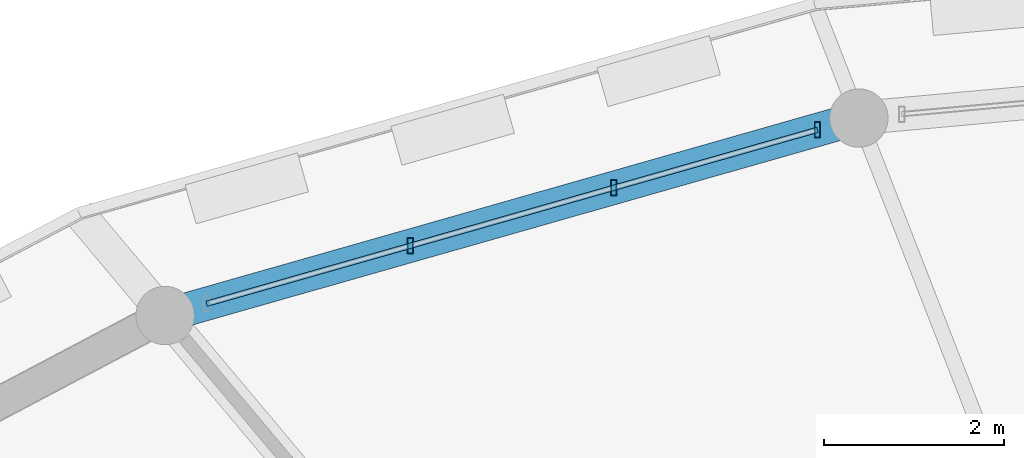
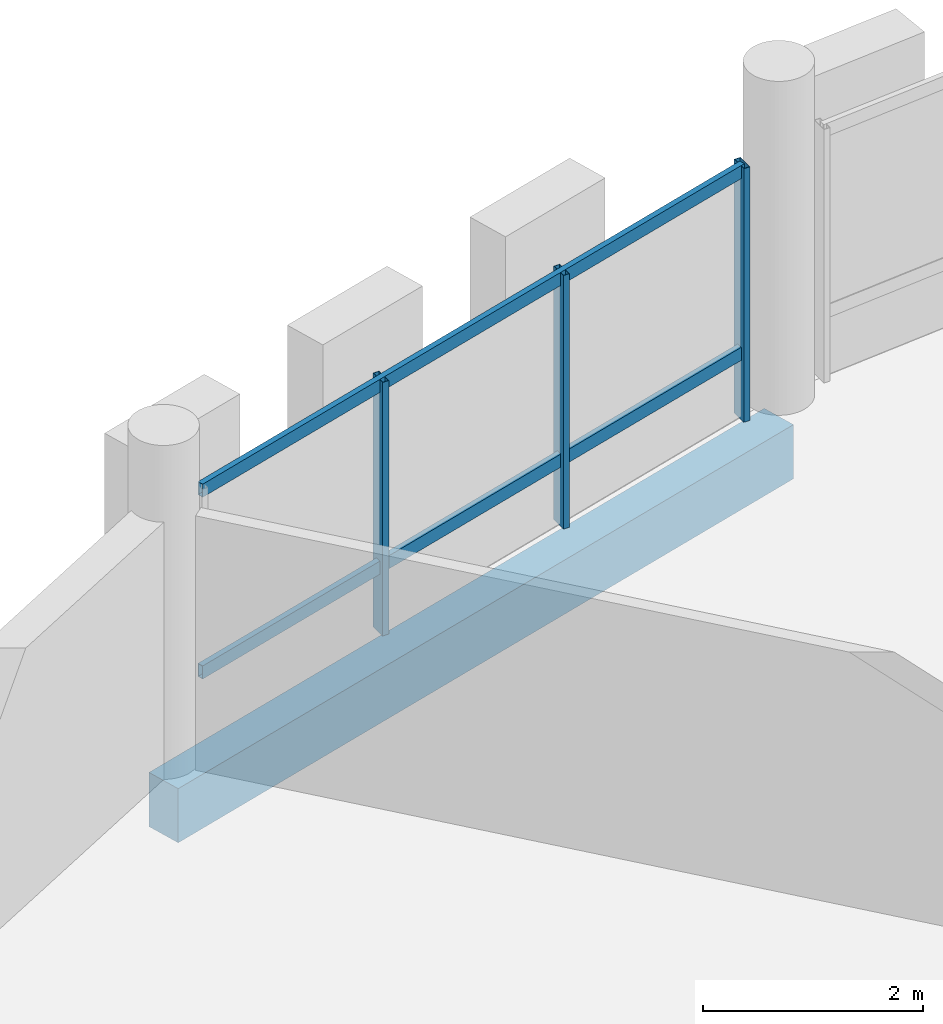
# One storey, part 46 of 84: 5 members, 1 beam, 1 element without a shape of its own.
"""IFC4 building model written with IfcOpenShell, lengths in metres."""

from ifc_helpers import new_model, si_unit, direction, frame, origin, origin_2d, place, context, subcontext, project, spatial, rectangle, hollow_rectangle, extrude, material, material_profile, profile_set, type_object, element, aggregate, save


model = new_model("IFC4")

# Units and contexts
model_context = context("Model", 3, precision=1e-05, world=origin(), true_north=direction((0.0, 1.0)))
body_context = subcontext(model_context, "Body", "Model", "MODEL_VIEW")
ifc_project = project(units=[si_unit("LENGTHUNIT", "METRE"), si_unit("AREAUNIT", "SQUARE_METRE"), si_unit("VOLUMEUNIT", "CUBIC_METRE"), si_unit("PLANEANGLEUNIT", "RADIAN"), si_unit("MASSUNIT", "GRAM", prefix="KILO")], contexts=[model_context])

# Site, building, storey
site_placement = place(None, origin())
site = spatial("IfcSite", under=ifc_project, at=site_placement, CompositionType="ELEMENT")
building_placement = place(site_placement, origin())
building = spatial("IfcBuilding", under=site, at=building_placement, Name="Zornivar Specialist Clinic", CompositionType="ELEMENT")
storey_placement = place(building_placement, frame((0.0, 0.0, 12.300048828125)))
storey = spatial("IfcBuildingStorey", under=building, at=storey_placement, Name="L03", CompositionType="ELEMENT", Elevation=12.300048828125)

# Beam
ifc_material_1 = material(Name="Concrete C30/37", Category="concrete")
ifc_material_profile_1 = material_profile(ifc_material_1, rectangle(XDim=0.3701171875, YDim=0.60009765625, at=origin_2d()), Name="RC 370x600")
ifc_profile_set_1 = profile_set([ifc_material_profile_1], Name="Concrete C30/37")
beam_type = type_object("IfcBeamType", Name="BM-RC-SPANDREL-370x600", PredefinedType="SPANDREL", material=ifc_profile_set_1)
beam_placement = place(storey_placement, frame((85.318115234375, 78.85009765625, -0.5400390625), z_axis=(-0.961790992591, -0.273784744957, 0.0), x_axis=(0.273784744957, -0.961790992591, 0.0)))
element("IfcBeam", 1, at=beam_placement, inside=storey, type_object=beam_type, Name="bm:V1:L03:outring:07", PredefinedType="SPANDREL", context=body_context, shape_type="SweptSolid", body=[
    extrude(rectangle(XDim=0.3701171875, YDim=0.60009765625, at=origin_2d()), origin(), (0.0, 0.0, 1.0), 8.024658203125),
])

# Curtain wall, members
ifc_material_2 = material(Name="Aluminium and Low-E Glass Curtain Wall", Category="aluminium")
curtain_wall_type = type_object("IfcCurtainWallType", Name="CW-DRUM-FACET", PredefinedType="NOTDEFINED", material=ifc_material_2)
curtain_wall_placement = place(storey_placement, origin())
curtain_wall = element("IfcCurtainWall", 2, at=curtain_wall_placement, inside=storey, type_object=curtain_wall_type, Name="cw:V1:L03:c07", PredefinedType="NOTDEFINED")
ifc_material_3 = material(Name="Aluminium AW-6060", Category="aluminium")
ifc_material_profile_2 = material_profile(ifc_material_3, hollow_rectangle(XDim=0.06494140625, YDim=0.175048828125, WallThickness=0.00439453125, at=origin_2d()), Name="ALU 65x175x4.5")
ifc_profile_set_2 = profile_set([ifc_material_profile_2], Name="Aluminium AW-6060")
member_type_1 = type_object("IfcMemberType", Name="CWM-MUL-175", PredefinedType="MULLION", material=ifc_profile_set_2)
member_1_placement = place(storey_placement, frame((84.85693359375, 78.718994140625, 0.0), z_axis=(0.0, 0.0, 1.0), x_axis=(1.0, 0.0, 0.0)))
member_1 = element("IfcMember", 3, at=member_1_placement, type_object=member_type_1, Name="cw:V1:L03:c07:mul:0", PredefinedType="MULLION", context=body_context, shape_type="SweptSolid", body=[
    extrude(hollow_rectangle(XDim=0.06494140625, YDim=0.175048828125, WallThickness=0.00439453125, at=origin_2d()), origin(), (0.0, 0.0, 1.0), 2.81005859375),
])
member_2_placement = place(storey_placement, frame((82.592041015625, 78.073974609375, 0.0), z_axis=(0.0, 0.0, 1.0), x_axis=(1.0, 0.0, 0.0)))
member_2 = element("IfcMember", 4, at=member_2_placement, type_object=member_type_1, Name="cw:V1:L03:c07:mul:1", PredefinedType="MULLION", context=body_context, shape_type="SweptSolid", body=[
    extrude(hollow_rectangle(XDim=0.06494140625, YDim=0.175048828125, WallThickness=0.00439453125, at=origin_2d()), origin(), (0.0, 0.0, 1.0), 2.81005859375),
])
member_3_placement = place(storey_placement, frame((80.325927734375, 77.429931640625, 0.0), z_axis=(0.0, 0.0, 1.0), x_axis=(1.0, 0.0, 0.0)))
member_3 = element("IfcMember", 5, at=member_3_placement, type_object=member_type_1, Name="cw:V1:L03:c07:mul:2", PredefinedType="MULLION", context=body_context, shape_type="SweptSolid", body=[
    extrude(hollow_rectangle(XDim=0.06494140625, YDim=0.175048828125, WallThickness=0.00439453125, at=origin_2d()), origin(), (0.0, 0.0, 1.0), 2.81005859375),
])
ifc_material_4 = material(Name="Aluminium AW-6060", Category="aluminium")
ifc_material_profile_3 = material_profile(ifc_material_4, hollow_rectangle(XDim=0.06005859375, YDim=0.14501953125, WallThickness=0.00390625, at=origin_2d()), Name="ALU 60x145x4")
ifc_profile_set_3 = profile_set([ifc_material_profile_3], Name="Aluminium AW-6060")
member_type_2 = type_object("IfcMemberType", Name="CWM-TRN-145", PredefinedType="USERDEFINED", material=ifc_profile_set_3)
member_4_placement = place(storey_placement, frame((84.85693359375, 78.718994140625, 0.73095703125), z_axis=(-0.961771283353, -0.27385397298, 0.0), x_axis=(0.27385397298, -0.961771283353, 0.0)))
member_4 = element("IfcMember", 6, at=member_4_placement, type_object=member_type_2, Name="cw:V1:L03:c07:trn:0", ObjectType="TRANSOM", PredefinedType="USERDEFINED", context=body_context, shape_type="SweptSolid", body=[
    extrude(hollow_rectangle(XDim=0.06005859375, YDim=0.14501953125, WallThickness=0.00390625, at=origin_2d()), origin(), (0.0, 0.0, 1.0), 7.06591796875),
])
member_5_placement = place(storey_placement, frame((84.85693359375, 78.718994140625, 2.744873046875), z_axis=(-0.961771283353, -0.27385397298, 0.0), x_axis=(0.27385397298, -0.961771283353, 0.0)))
member_5 = element("IfcMember", 7, at=member_5_placement, type_object=member_type_2, Name="cw:V1:L03:c07:trn:1", ObjectType="TRANSOM", PredefinedType="USERDEFINED", context=body_context, shape_type="SweptSolid", body=[
    extrude(hollow_rectangle(XDim=0.06005859375, YDim=0.14501953125, WallThickness=0.00390625, at=origin_2d()), origin(), (0.0, 0.0, 1.0), 7.06591796875),
])
aggregate(curtain_wall, [member_1, member_2, member_3, member_4, member_5])

save(model, "model.ifc")
